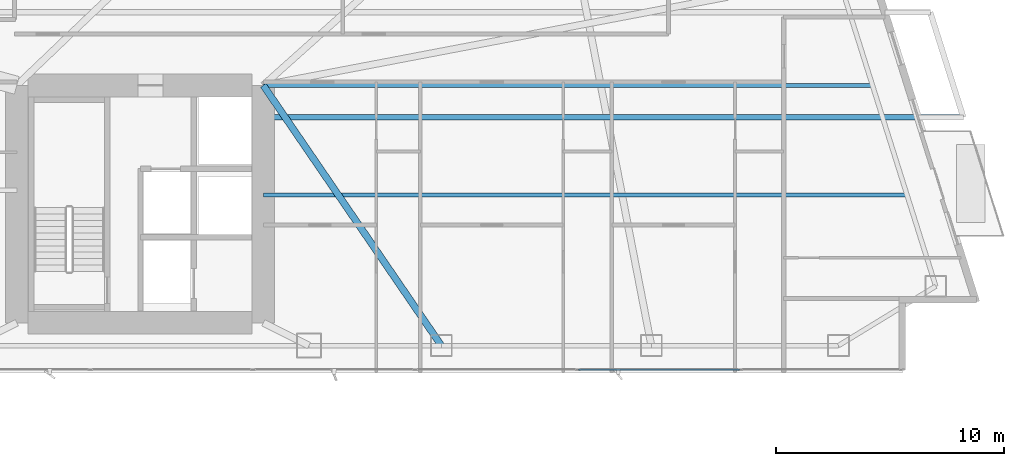
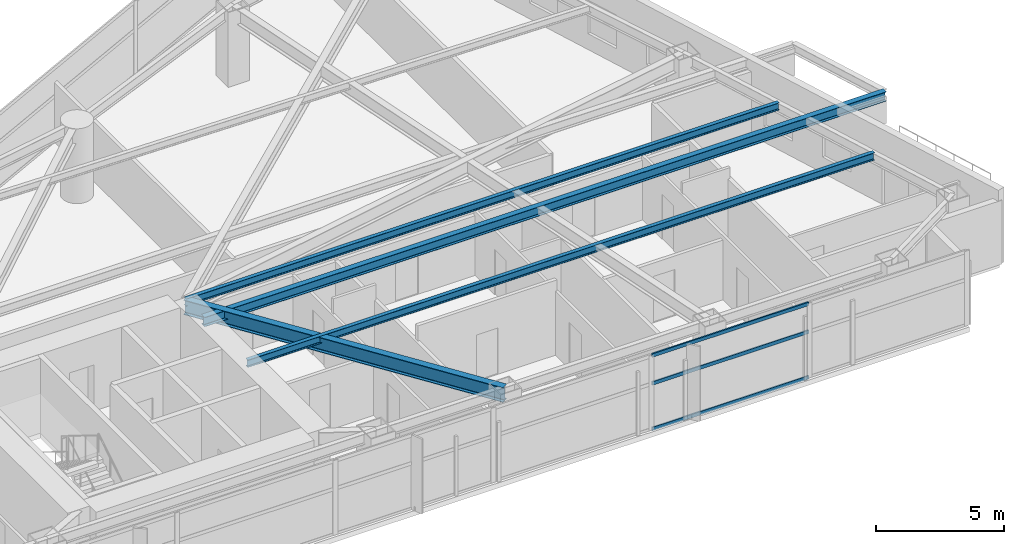
# One storey, part 13 of 30: 4 beams, 3 members, 1 element without a shape of its own.
"""IFC4 building model written with IfcOpenShell, lengths in metres."""

from ifc_helpers import new_model, si_unit, direction, frame, origin, origin_2d, place, context, subcontext, project, spatial, hollow_rectangle, i_section, extrude, material, layer, layer_set, material_profile, profile_set, type_object, element, aggregate, save


model = new_model("IFC4")

# Units and contexts
model_context = context("Model", 3, precision=1e-05, world=origin(), true_north=direction((0.0, 1.0)))
body_context = subcontext(model_context, "Body", "Model", "MODEL_VIEW")
ifc_project = project(units=[si_unit("LENGTHUNIT", "METRE"), si_unit("AREAUNIT", "SQUARE_METRE"), si_unit("VOLUMEUNIT", "CUBIC_METRE"), si_unit("PLANEANGLEUNIT", "RADIAN"), si_unit("MASSUNIT", "GRAM", prefix="KILO")], contexts=[model_context])

# Site, building, storey
site_placement = place(None, origin())
site = spatial("IfcSite", under=ifc_project, at=site_placement, CompositionType="ELEMENT")
building_placement = place(site_placement, origin())
building = spatial("IfcBuilding", under=site, at=building_placement, Name="Calvorn Quay Hotel", CompositionType="ELEMENT")
storey_placement = place(building_placement, frame((0.0, 0.0, 30.800048828125)))
storey = spatial("IfcBuildingStorey", under=building, at=storey_placement, Name="L06", CompositionType="ELEMENT", Elevation=30.800048828125)

# Beams
ifc_material_1 = material(Name="Steel Q355B", Category="steel")
ifc_material_profile_1 = material_profile(ifc_material_1, i_section(OverallWidth=0.25, OverallDepth=0.449951171875, WebThickness=0.011962890625, FlangeThickness=0.01611328125, FilletRadius=0.01611328125, at=origin_2d()), Name="HN450x250x12x16")
ifc_profile_set_1 = profile_set([ifc_material_profile_1], Name="Steel Q355B")
beam_type_1 = type_object("IfcBeamType", Name="BM-CANT-BALC", PredefinedType="BEAM", material=ifc_profile_set_1)
beam_1_placement = place(storey_placement, frame((32.39990234375, 13.60009765625, 3.31494140625), z_axis=(1.0, 0.0, 0.0), x_axis=(0.0, 1.0, 0.0)))
element("IfcBeam", 1, at=beam_1_placement, inside=storey, type_object=beam_type_1, Name="Cantilever Balcony Beam BCB-L07-1A", PredefinedType="BEAM", context=body_context, shape_type="SweptSolid", body=[
    extrude(i_section(OverallWidth=0.25, OverallDepth=0.449951171875, WebThickness=0.011962890625, FlangeThickness=0.01611328125, FilletRadius=0.01611328125, at=origin_2d()), origin(), (0.0, 0.0, 1.0), 30.669189453125),
])
ifc_material_2 = material(Name="Steel Q390GJC", Category="steel")
ifc_material_profile_2 = material_profile(ifc_material_2, i_section(OverallWidth=0.300048828125, OverallDepth=0.699951171875, WebThickness=0.012939453125, FlangeThickness=0.02392578125, FilletRadius=0.02392578125, at=origin_2d()), Name="HN700x300x13x24")
ifc_profile_set_2 = profile_set([ifc_material_profile_2], Name="Steel Q390GJC")
beam_type_2 = type_object("IfcBeamType", Name="BM-GIRD-MAIN", PredefinedType="BEAM", material=ifc_profile_set_2)
beam_2_placement = place(storey_placement, frame((40.199951171875, 3.60009765625, 3.18994140625), z_axis=(-0.564689618177, 0.825303359452, 0.0), x_axis=(-0.825303359452, -0.564689618177, 0.0)))
element("IfcBeam", 2, at=beam_2_placement, inside=storey, type_object=beam_type_2, Name="Beam BG-L06-E6", PredefinedType="BEAM", context=body_context, shape_type="SweptSolid", body=[
    extrude(i_section(OverallWidth=0.300048828125, OverallDepth=0.699951171875, WebThickness=0.012939453125, FlangeThickness=0.02392578125, FilletRadius=0.02392578125, at=origin_2d()), origin(), (0.0, 0.0, 1.0), 13.81298828125),
])
ifc_material_3 = material(Name="Steel Q355B", Category="steel")
ifc_material_profile_3 = material_profile(ifc_material_3, i_section(OverallWidth=0.175048828125, OverallDepth=0.35009765625, WebThickness=0.007080078125, FlangeThickness=0.010986328125, FilletRadius=0.013916015625, at=origin_2d()), Name="HN350x175x7x11")
ifc_profile_set_3 = profile_set([ifc_material_profile_3], Name="Steel Q355B")
beam_type_3 = type_object("IfcBeamType", Name="BM-JOIST-SEC", PredefinedType="JOIST", material=ifc_profile_set_3)
beam_3_placement = place(storey_placement, frame((32.39990234375, 10.199951171875, 3.364990234375), z_axis=(1.0, 0.0, 0.0), x_axis=(0.0, 1.0, 0.0)))
element("IfcBeam", 3, at=beam_3_placement, inside=storey, type_object=beam_type_3, Name="Beam BJ-L06-E1", PredefinedType="JOIST", context=body_context, shape_type="SweptSolid", body=[
    extrude(i_section(OverallWidth=0.175048828125, OverallDepth=0.35009765625, WebThickness=0.007080078125, FlangeThickness=0.010986328125, FilletRadius=0.013916015625, at=origin_2d()), origin(), (0.0, 0.0, 1.0), 28.201171875),
])
beam_4_placement = place(storey_placement, frame((32.39990234375, 15.0, 3.364990234375), z_axis=(1.0, 0.0, 0.0), x_axis=(0.0, 1.0, 0.0)))
element("IfcBeam", 4, at=beam_4_placement, inside=storey, type_object=beam_type_3, Name="Beam BJ-L06-E2", PredefinedType="JOIST", context=body_context, shape_type="SweptSolid", body=[
    extrude(i_section(OverallWidth=0.175048828125, OverallDepth=0.35009765625, WebThickness=0.007080078125, FlangeThickness=0.010986328125, FilletRadius=0.013916015625, at=origin_2d()), origin(), (0.0, 0.0, 1.0), 26.68798828125),
])

# Curtain wall, members
ifc_material_4 = material(Name="Pale Anodised Aluminium and Low-E Glass", Category="aluminium")
ifc_layer = layer(ifc_material_4, 0.219970703125)
ifc_layer_set = layer_set([ifc_layer], Name="CW-SYS-Z1")
curtain_wall_type = type_object("IfcCurtainWallType", Name="CW-SYS-Z1", PredefinedType="NOTDEFINED", material=ifc_layer_set)
curtain_wall_placement = place(storey_placement, origin())
curtain_wall = element("IfcCurtainWall", 5, at=curtain_wall_placement, inside=storey, type_object=curtain_wall_type, Name="Tower South Waterfront Curtain Wall (L06)", PredefinedType="NOTDEFINED")
ifc_material_5 = material(Name="Pale Anodised Aluminium 6063-T6", Category="aluminium")
ifc_material_profile_4 = material_profile(ifc_material_5, hollow_rectangle(XDim=0.06494140625, YDim=0.1650390625, WallThickness=0.00341796875, at=origin_2d()), Name="ALU-T165x65x3.5")
ifc_profile_set_4 = profile_set([ifc_material_profile_4], Name="Pale Anodised Aluminium 6063-T6")
member_type = type_object("IfcMemberType", Name="CW-SYS-Z1-TRN", PredefinedType="USERDEFINED", material=ifc_profile_set_4)
member_1_placement = place(storey_placement, frame((46.201416015625, 2.550048828125, 0.030029296875), z_axis=(1.0, 0.0, 0.0), x_axis=(0.0, 1.0, 0.0)))
member_1 = element("IfcMember", 6, at=member_1_placement, type_object=member_type, Name="CW-L06-S transom 6.1", ObjectType="TRANSOM", PredefinedType="USERDEFINED", context=body_context, shape_type="SweptSolid", body=[
    extrude(hollow_rectangle(XDim=0.06494140625, YDim=0.1650390625, WallThickness=0.00341796875, at=origin_2d()), origin(), (0.0, 0.0, 1.0), 7.05419921875),
])
member_2_placement = place(storey_placement, frame((46.201416015625, 2.550048828125, 2.199951171875), z_axis=(1.0, 0.0, 0.0), x_axis=(0.0, 1.0, 0.0)))
member_2 = element("IfcMember", 7, at=member_2_placement, type_object=member_type, Name="CW-L06-S transom 6.2", ObjectType="TRANSOM", PredefinedType="USERDEFINED", context=body_context, shape_type="SweptSolid", body=[
    extrude(hollow_rectangle(XDim=0.06494140625, YDim=0.1650390625, WallThickness=0.00341796875, at=origin_2d()), origin(), (0.0, 0.0, 1.0), 7.05419921875),
])
member_3_placement = place(storey_placement, frame((46.201416015625, 2.550048828125, 3.530029296875), z_axis=(1.0, 0.0, 0.0), x_axis=(0.0, 1.0, 0.0)))
member_3 = element("IfcMember", 8, at=member_3_placement, type_object=member_type, Name="CW-L06-S transom 6.3", ObjectType="TRANSOM", PredefinedType="USERDEFINED", context=body_context, shape_type="SweptSolid", body=[
    extrude(hollow_rectangle(XDim=0.06494140625, YDim=0.1650390625, WallThickness=0.00341796875, at=origin_2d()), origin(), (0.0, 0.0, 1.0), 7.05419921875),
])
aggregate(curtain_wall, [member_1, member_2, member_3])

save(model, "model.ifc")
